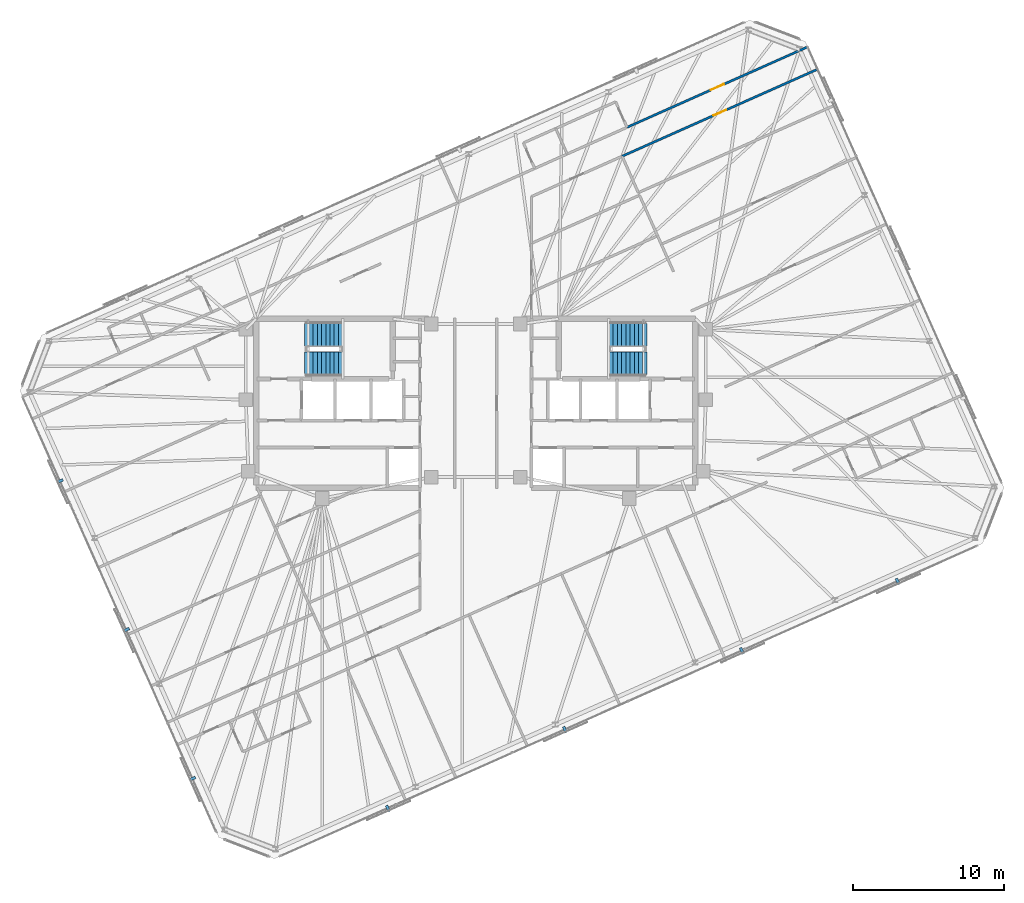
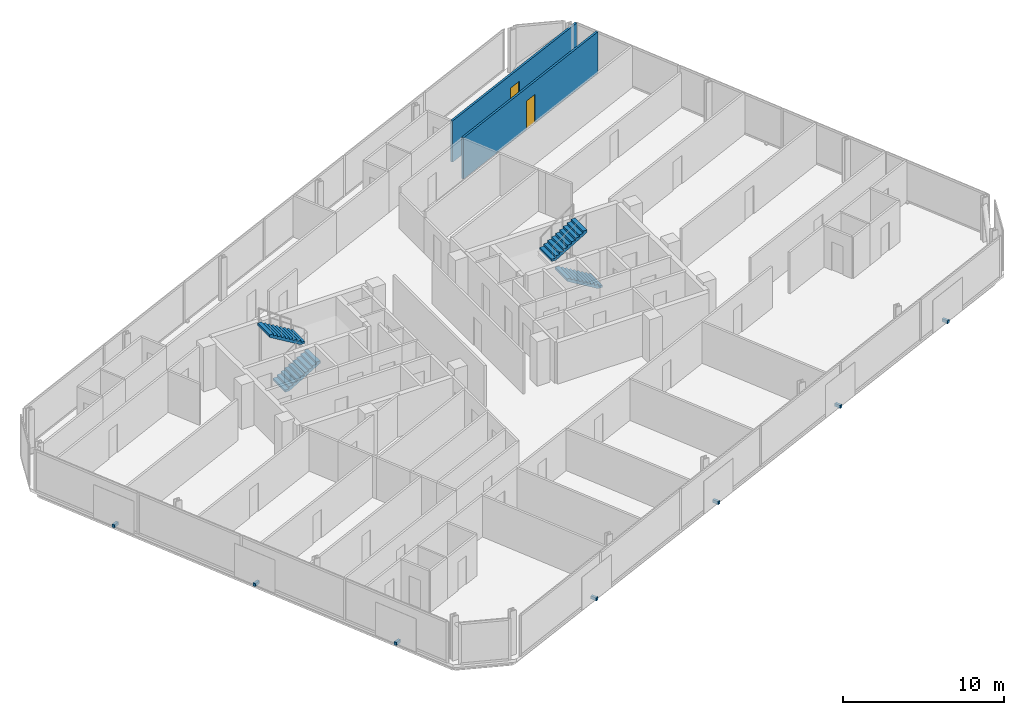
# One storey, part 17 of 19: 7 discrete accessories, 4 stair flights, 2 doors, 2 walls, 2 openings, 2 elements without a shape of their own.
"""IFC4 building model written with IfcOpenShell, lengths in metres."""

from ifc_helpers import new_model, si_unit, direction, frame, frame_2d, origin, origin_2d, place, context, subcontext, project, spatial, polyline, rectangle, outline, extrude, material, layer, layer_set, type_object, element, fill, aggregate, save


model = new_model("IFC4")

# Units and contexts
model_context = context("Model", 3, precision=1e-05, world=origin(), true_north=direction((0.0, 1.0)))
body_context = subcontext(model_context, "Body", "Model", "MODEL_VIEW")
ifc_project = project(units=[si_unit("LENGTHUNIT", "METRE"), si_unit("AREAUNIT", "SQUARE_METRE"), si_unit("VOLUMEUNIT", "CUBIC_METRE"), si_unit("PLANEANGLEUNIT", "RADIAN"), si_unit("MASSUNIT", "GRAM", prefix="KILO")], contexts=[model_context])

# Site, building, storey
site_placement = place(None, origin())
site = spatial("IfcSite", under=ifc_project, at=site_placement, CompositionType="ELEMENT")
building_placement = place(site_placement, origin())
building = spatial("IfcBuilding", under=site, at=building_placement, Name="Menara Jurai Vektor", CompositionType="ELEMENT")
storey_placement = place(building_placement, frame((0.0, 0.0, 288.60009765625)))
storey = spatial("IfcBuildingStorey", under=building, at=storey_placement, Name="L77", CompositionType="ELEMENT", Elevation=288.60009765625)

# Wall, opening, door
ifc_material_1 = material(Name="Gypsum Fireboard Partition", Category="gypsum")
ifc_layer = layer(ifc_material_1, 0.14990234375)
ifc_layer_set = layer_set([ifc_layer], Name="Gypsum Fireboard Partition")
wall_type = type_object("IfcWallType", Name="INT-WALL-CORR-150", PredefinedType="PARTITIONING", material=ifc_layer_set)
wall_1_placement = place(storey_placement, frame((10.029541015625, 18.294189453125, 0.0), z_axis=(0.0, 0.0, 1.0), x_axis=(0.913545706015, 0.406736085222, 0.0)))
wall_1 = element("IfcWall", 1, at=wall_1_placement, inside=storey, type_object=wall_type, Name="Interior Wall IW-150 L77", PredefinedType="PARTITIONING", context=body_context, shape_type="SweptSolid", body=[
    extrude(rectangle(XDim=13.113037109375, YDim=0.14990234375, at=frame_2d((6.556640625, 0.0))), origin(), (0.0, 0.0, 1.0), 3.125),
])
opening_1_placement = place(wall_1_placement, frame((6.08154296875, 0.0, 0.0)))
opening_1 = element("IfcOpeningElement", 2, at=opening_1_placement, cuts=wall_1, Name="Opening D77-13", PredefinedType="OPENING", context=body_context, shape_type="SweptSolid", body=[
    extrude(rectangle(XDim=0.949951171875, YDim=2.14990234375, at=frame_2d((0.47509765625, 1.074951171875))), frame((0.0, 0.0849609375, 0.0), z_axis=(0.0, -1.0, 0.0), x_axis=(1.0, 0.0, 0.0)), (0.0, 0.0, 1.0), 0.169921875),
])
ifc_material_2 = material(Name="Solid Core Timber Fire Door", Category="wood")
door_type = type_object("IfcDoorType", Name="DR-ENTRY-950", OperationType="NOTDEFINED", PredefinedType="DOOR", material=ifc_material_2)
door_1_placement = place(opening_1_placement, origin())
door_1 = element("IfcDoor", 3, at=door_1_placement, inside=storey, type_object=door_type, Name="Interior Door D77-13", OperationType="SINGLE_SWING_LEFT", OverallHeight=2.14990234375, OverallWidth=0.949951171875, PredefinedType="DOOR", context=body_context, shape_type="SweptSolid", body=[
    extrude(rectangle(XDim=0.949951171875, YDim=2.14990234375, at=frame_2d((0.47509765625, 1.074951171875))), frame((0.0, 0.02490234375, 0.0), z_axis=(0.0, -1.0, 0.0), x_axis=(1.0, 0.0, 0.0)), (0.0, 0.0, 1.0), 0.050048828125),
])
fill(opening_1, door_1)

wall_2_placement = place(storey_placement, frame((9.70263671875, 16.37548828125, 0.0), z_axis=(0.0, 0.0, 1.0), x_axis=(0.913544622417, 0.406738519018, 0.0)))
wall_2 = element("IfcWall", 4, at=wall_2_placement, inside=storey, type_object=wall_type, Name="Interior Wall IW-150 L77", PredefinedType="PARTITIONING", context=body_context, shape_type="SweptSolid", body=[
    extrude(rectangle(XDim=14.192138671875, YDim=0.14990234375, at=frame_2d((7.09619140625, 0.0))), origin(), (0.0, 0.0, 1.0), 3.125),
])
opening_2_placement = place(wall_2_placement, frame((6.635986328125, 0.0, 0.0)))
opening_2 = element("IfcOpeningElement", 5, at=opening_2_placement, cuts=wall_2, Name="Opening D77-46", PredefinedType="OPENING", context=body_context, shape_type="SweptSolid", body=[
    extrude(rectangle(XDim=0.919921875, YDim=2.14990234375, at=frame_2d((0.4599609375, 1.074951171875))), frame((0.0, 0.0849609375, 0.0), z_axis=(0.0, -1.0, 0.0), x_axis=(1.0, 0.0, 0.0)), (0.0, 0.0, 1.0), 0.169921875),
])
door_2_placement = place(opening_2_placement, origin())
door_2 = element("IfcDoor", 6, at=door_2_placement, inside=storey, type_object=door_type, Name="Interior Door D77-46", OperationType="SINGLE_SWING_RIGHT", OverallHeight=2.14990234375, OverallWidth=0.919921875, PredefinedType="DOOR", context=body_context, shape_type="SweptSolid", body=[
    extrude(rectangle(XDim=0.919921875, YDim=2.14990234375, at=frame_2d((0.4599609375, 1.074951171875))), frame((0.0, 0.02490234375, 0.0), z_axis=(0.0, -1.0, 0.0), x_axis=(1.0, 0.0, 0.0)), (0.0, 0.0, 1.0), 0.050048828125),
])
fill(opening_2, door_2)

# Stair, stair flights
ifc_material_3 = material(Name="Concrete C40/50", Category="concrete")
stair_type = type_object("IfcStairType", Name="STAIR-DOGLEG-1500", PredefinedType="HALF_TURN_STAIR", material=ifc_material_3)
stair_1_placement = place(storey_placement, origin())
stair_1 = element("IfcStair", 7, at=stair_1_placement, inside=storey, type_object=stair_type, Name="Protected Exit Stair ST1 L77", PredefinedType="HALF_TURN_STAIR")
stair_flight_type = type_object("IfcStairFlightType", Name="STAIR-FLIGHT-1500", PredefinedType="STRAIGHT", material=ifc_material_3)
stair_flight_1_placement = place(storey_placement, frame((-11.35009765625, 2.64990234375, 0.0), z_axis=(0.0, 0.0, 1.0), x_axis=(1.0, 0.0, 0.0)))
stair_flight_1 = element("IfcStairFlight", 8, at=stair_flight_1_placement, type_object=stair_flight_type, Name="ST1 flight 1", NumberOfRisers=10, NumberOfTreads=9, PredefinedType="STRAIGHT", RiserHeight=0.1675, TreadLength=0.28, context=body_context, shape_type="SweptSolid", body=[
    extrude(outline(polyline([(0.0, 0.0), (0.0, 0.16748046875), (0.280029296875, 0.16748046875), (0.280029296875, 0.3349609375), (0.56005859375, 0.3349609375), (0.56005859375, 0.50244140625), (0.840087890625, 0.50244140625), (0.840087890625, 0.669921875), (1.1201171875, 0.669921875), (1.1201171875, 0.83740234375), (1.39990234375, 0.83740234375), (1.39990234375, 1.0048828125), (1.679931640625, 1.0048828125), (1.679931640625, 1.172607421875), (1.9599609375, 1.172607421875), (1.9599609375, 1.340087890625), (2.239990234375, 1.340087890625), (2.239990234375, 1.507568359375), (2.52001953125, 1.507568359375), (2.52001953125, 1.675048828125), (2.52001953125, 1.321044921875), (0.3115234375, 0.0), (0.0, 0.0)])), frame((0.0, 0.75, 0.0), z_axis=(0.0, -1.0, 0.0), x_axis=(1.0, 0.0, 0.0)), (0.0, 0.0, 1.0), 1.5),
])
stair_flight_2_placement = place(storey_placement, frame((-8.830078125, 4.550048828125, 1.6748046875), z_axis=(0.0, 0.0, 1.0), x_axis=(-1.0, 0.0, 0.0)))
stair_flight_2 = element("IfcStairFlight", 9, at=stair_flight_2_placement, type_object=stair_flight_type, Name="ST1 flight 2", NumberOfRisers=10, NumberOfTreads=9, PredefinedType="STRAIGHT", RiserHeight=0.1675, TreadLength=0.28, context=body_context, shape_type="SweptSolid", body=[
    extrude(outline(polyline([(0.0, 0.0), (0.0, 0.16748046875), (0.280029296875, 0.16748046875), (0.280029296875, 0.3349609375), (0.56005859375, 0.3349609375), (0.56005859375, 0.50244140625), (0.840087890625, 0.50244140625), (0.840087890625, 0.669921875), (1.1201171875, 0.669921875), (1.1201171875, 0.83740234375), (1.39990234375, 0.83740234375), (1.39990234375, 1.0048828125), (1.679931640625, 1.0048828125), (1.679931640625, 1.172607421875), (1.9599609375, 1.172607421875), (1.9599609375, 1.340087890625), (2.239990234375, 1.340087890625), (2.239990234375, 1.507568359375), (2.52001953125, 1.507568359375), (2.52001953125, 1.675048828125), (2.52001953125, 1.321044921875), (0.3115234375, 0.0), (0.0, 0.0)])), frame((0.0, 0.75, 0.0), z_axis=(0.0, -1.0, 0.0), x_axis=(1.0, 0.0, 0.0)), (0.0, 0.0, 1.0), 1.5),
])
aggregate(stair_1, [stair_flight_1, stair_flight_2])

stair_2_placement = place(storey_placement, origin())
stair_2 = element("IfcStair", 10, at=stair_2_placement, inside=storey, type_object=stair_type, Name="Protected Exit Stair ST2 L77", PredefinedType="HALF_TURN_STAIR")
stair_flight_3_placement = place(storey_placement, frame((11.35009765625, 2.64990234375, 0.0), z_axis=(0.0, 0.0, 1.0), x_axis=(-1.0, 0.0, 0.0)))
stair_flight_3 = element("IfcStairFlight", 11, at=stair_flight_3_placement, type_object=stair_flight_type, Name="ST2 flight 1", NumberOfRisers=10, NumberOfTreads=9, PredefinedType="STRAIGHT", RiserHeight=0.1675, TreadLength=0.28, context=body_context, shape_type="SweptSolid", body=[
    extrude(outline(polyline([(0.0, 0.0), (0.0, 0.16748046875), (0.280029296875, 0.16748046875), (0.280029296875, 0.3349609375), (0.56005859375, 0.3349609375), (0.56005859375, 0.50244140625), (0.840087890625, 0.50244140625), (0.840087890625, 0.669921875), (1.1201171875, 0.669921875), (1.1201171875, 0.83740234375), (1.39990234375, 0.83740234375), (1.39990234375, 1.0048828125), (1.679931640625, 1.0048828125), (1.679931640625, 1.172607421875), (1.9599609375, 1.172607421875), (1.9599609375, 1.340087890625), (2.239990234375, 1.340087890625), (2.239990234375, 1.507568359375), (2.52001953125, 1.507568359375), (2.52001953125, 1.675048828125), (2.52001953125, 1.321044921875), (0.3115234375, 0.0), (0.0, 0.0)])), frame((0.0, 0.75, 0.0), z_axis=(0.0, -1.0, 0.0), x_axis=(1.0, 0.0, 0.0)), (0.0, 0.0, 1.0), 1.5),
])
stair_flight_4_placement = place(storey_placement, frame((8.830078125, 4.550048828125, 1.6748046875), z_axis=(0.0, 0.0, 1.0), x_axis=(1.0, 0.0, 0.0)))
stair_flight_4 = element("IfcStairFlight", 12, at=stair_flight_4_placement, type_object=stair_flight_type, Name="ST2 flight 2", NumberOfRisers=10, NumberOfTreads=9, PredefinedType="STRAIGHT", RiserHeight=0.1675, TreadLength=0.28, context=body_context, shape_type="SweptSolid", body=[
    extrude(outline(polyline([(0.0, 0.0), (0.0, 0.16748046875), (0.280029296875, 0.16748046875), (0.280029296875, 0.3349609375), (0.56005859375, 0.3349609375), (0.56005859375, 0.50244140625), (0.840087890625, 0.50244140625), (0.840087890625, 0.669921875), (1.1201171875, 0.669921875), (1.1201171875, 0.83740234375), (1.39990234375, 0.83740234375), (1.39990234375, 1.0048828125), (1.679931640625, 1.0048828125), (1.679931640625, 1.172607421875), (1.9599609375, 1.172607421875), (1.9599609375, 1.340087890625), (2.239990234375, 1.340087890625), (2.239990234375, 1.507568359375), (2.52001953125, 1.507568359375), (2.52001953125, 1.675048828125), (2.52001953125, 1.321044921875), (0.3115234375, 0.0), (0.0, 0.0)])), frame((0.0, 0.75, 0.0), z_axis=(0.0, -1.0, 0.0), x_axis=(1.0, 0.0, 0.0)), (0.0, 0.0, 1.0), 1.5),
])
aggregate(stair_2, [stair_flight_3, stair_flight_4])

# Discrete accessories
ifc_material_4 = material(Name="Steel S355", Category="steel")
discrete_accessory_type = type_object("IfcDiscreteAccessoryType", Name="ENV-ACC-BRACKET", PredefinedType="BRACKET", material=ifc_material_4)
for number, where, z_axis, x_axis, name in (
    (13, (-5.8330078125, -26.87451171875, -0.1298828125), (0.0, 0.0, 1.0), (0.913545457643, 0.406736643076, 0.0), "Solar Screen Stand-Off Bracket L77-S01"),
    (14, (5.906005859375, -21.648193359375, -0.1298828125), (0.0, 0.0, 1.0), (0.913545457643, 0.406736643076, 0.0), "Solar Screen Stand-Off Bracket L77-S02"),
    (15, (17.64501953125, -16.42138671875, -0.1298828125), (0.0, 0.0, 1.0), (0.913545457643, 0.406736643076, 0.0), "Solar Screen Stand-Off Bracket L77-S03"),
    (16, (27.975341796875, -11.822021484375, -0.1298828125), (0.0, 0.0, 1.0), (0.913545457643, 0.406736643076, 0.0), "Solar Screen Stand-Off Bracket L77-S04"),
    (17, (-27.57666015625, -5.165771484375, -0.1298828125), (0.0, 0.0, 1.0), (0.406736643076, -0.913545457643, 0.0), "Solar Screen Stand-Off Bracket L77-S12"),
    (18, (-23.183837890625, -15.031982421875, -0.1298828125), (0.0, 0.0, 1.0), (0.406736643076, -0.913545457643, 0.0), "Solar Screen Stand-Off Bracket L77-S13"),
    (19, (-18.791259765625, -24.898193359375, -0.1298828125), (0.0, 0.0, 1.0), (0.406736643076, -0.913545457643, 0.0), "Solar Screen Stand-Off Bracket L77-S14"),
):
    element("IfcDiscreteAccessory", number, at=place(storey_placement, frame(where, z_axis=z_axis, x_axis=x_axis)), inside=storey, type_object=discrete_accessory_type, Name=name, PredefinedType="BRACKET", context=body_context, shape_type="SweptSolid", body=[
        extrude(rectangle(XDim=0.179931640625, YDim=0.43994140625, at=origin_2d()), origin(), (0.0, 0.0, 1.0), 0.219970703125),
    ])

save(model, "model.ifc")
